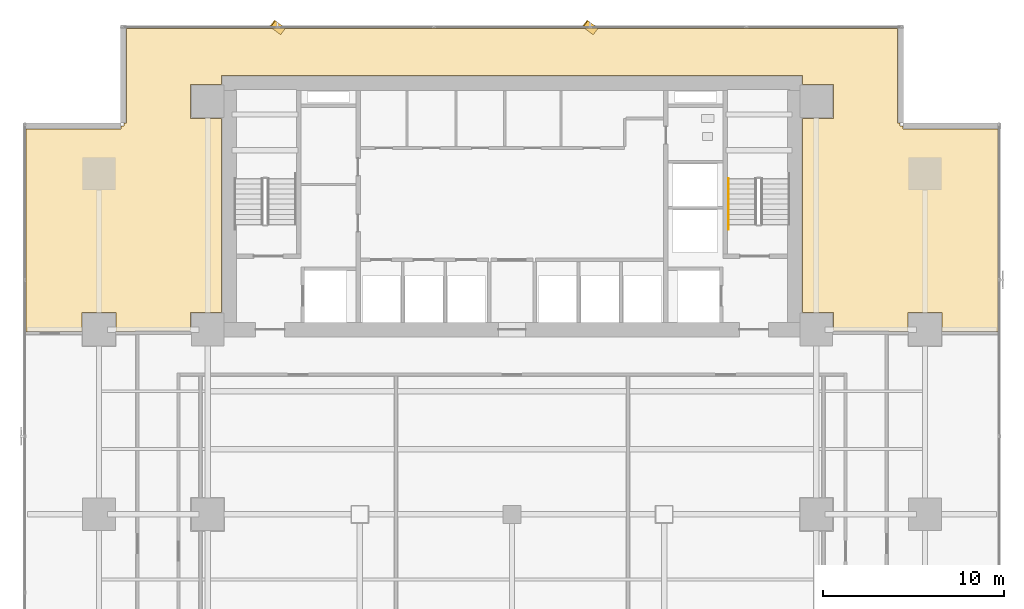
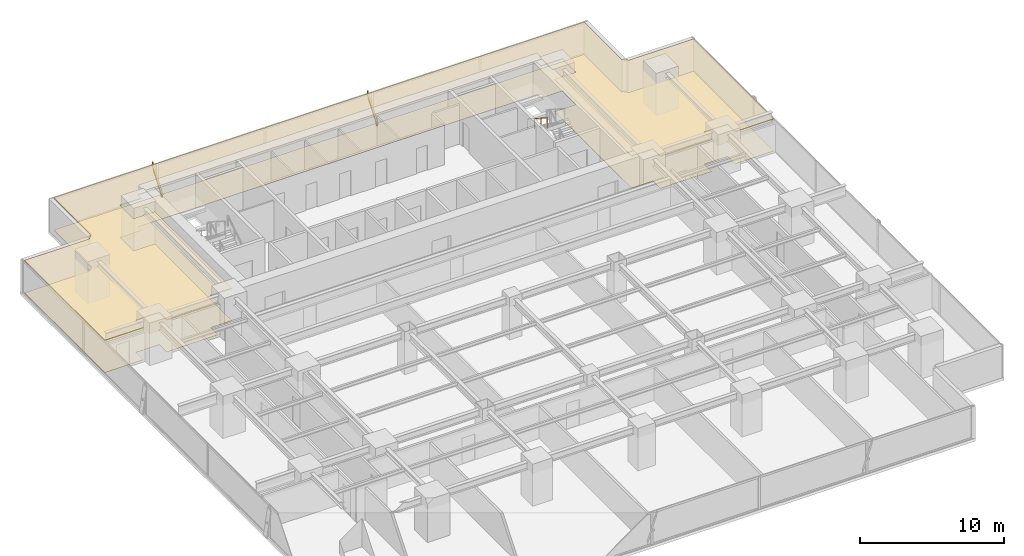
# One storey, part 32 of 34: 2 coverings, 2 shading devices, 1 railing.
"""IFC4 building model written with IfcOpenShell, lengths in metres."""

from ifc_helpers import new_model, si_unit, direction, frame, origin, origin_2d, place, context, subcontext, project, spatial, polyline, rectangle, outline, extrude, source, transform, mapped, material, layer, layer_set, material_profile, profile_set, type_object, element, save


model = new_model("IFC4")

# Units and contexts
model_context = context("Model", 3, precision=1e-05, world=origin(), true_north=direction((0.0, 1.0)))
body_context = subcontext(model_context, "Body", "Model", "MODEL_VIEW")
ifc_project = project(units=[si_unit("LENGTHUNIT", "METRE"), si_unit("AREAUNIT", "SQUARE_METRE"), si_unit("VOLUMEUNIT", "CUBIC_METRE"), si_unit("PLANEANGLEUNIT", "RADIAN"), si_unit("MASSUNIT", "GRAM", prefix="KILO")], contexts=[model_context])

# Site, building, storey
site_placement = place(None, origin())
site = spatial("IfcSite", under=ifc_project, at=site_placement, CompositionType="ELEMENT")
building_placement = place(site_placement, origin())
building = spatial("IfcBuilding", under=site, at=building_placement, Name="Sumidabori Civic Tower", CompositionType="ELEMENT")
storey_placement = place(building_placement, frame((0.0, 0.0, 56.0)))
storey = spatial("IfcBuildingStorey", under=building, at=storey_placement, Name="L14", CompositionType="ELEMENT", Elevation=56.0)

# Coverings
ifc_material_1 = material(Name="Gypsum Coffered Acoustic Ceiling")
ifc_layer_1 = layer(ifc_material_1, 0.06494140625, Name="Gypsum Coffered Acoustic Ceiling")
ifc_layer_set_1 = layer_set([ifc_layer_1], Name="Gypsum Coffered Acoustic Ceiling")
covering_type_1 = type_object("IfcCoveringType", Name="CV-CEIL-AC4", PredefinedType="CEILING", material=ifc_layer_set_1)
covering_1_placement = place(storey_placement, frame((0.0, 0.0, 2.7099609375)))
element("IfcCovering", 1, at=covering_1_placement, inside=storey, type_object=covering_type_1, Name="Room Acoustic Ceiling L14-01", PredefinedType="CEILING", context=body_context, shape_type="SweptSolid", body=[
    extrude(outline(polyline([(-26.830078125, 10.1025390625), (-26.830078125, 21.27197265625), (-21.592041015625, 21.27197265625), (-21.592041015625, 21.429931640625), (-21.429931640625, 21.429931640625), (-21.429931640625, 21.592041015625), (-21.27197265625, 21.592041015625), (-21.27197265625, 26.830078125), (21.27197265625, 26.830078125), (21.27197265625, 21.592041015625), (21.429931640625, 21.592041015625), (21.429931640625, 21.429931640625), (21.592041015625, 21.429931640625), (21.592041015625, 21.27197265625), (26.830078125, 21.27197265625), (26.830078125, 10.1025390625), (23.739990234375, 10.1025390625), (23.739990234375, 11.139892578125), (21.860107421875, 11.139892578125), (21.860107421875, 10.1025390625), (20.784912109375, 10.1025390625), (20.784912109375, 10.135009765625), (17.739990234375, 10.135009765625), (17.739990234375, 11.139892578125), (16.028076171875, 11.139892578125), (16.028076171875, 21.860107421875), (17.739990234375, 21.860107421875), (17.739990234375, 23.739990234375), (16.028076171875, 23.739990234375), (16.028076171875, 24.22802734375), (-16.028076171875, 24.22802734375), (-16.028076171875, 23.739990234375), (-17.739990234375, 23.739990234375), (-17.739990234375, 21.860107421875), (-16.028076171875, 21.860107421875), (-16.028076171875, 11.139892578125), (-17.739990234375, 11.139892578125), (-17.739990234375, 10.135009765625), (-20.784912109375, 10.135009765625), (-20.784912109375, 10.1025390625), (-21.860107421875, 10.1025390625), (-21.860107421875, 11.139892578125), (-23.739990234375, 11.139892578125), (-23.739990234375, 10.1025390625), (-26.830078125, 10.1025390625)])), origin(), (0.0, 0.0, 1.0), 0.06494140625),
])
ifc_material_2 = material(Name="Honed Terrazzo Tile Flooring")
ifc_layer_2 = layer(ifc_material_2, 0.030029296875, Name="Honed Terrazzo Tile Flooring")
ifc_layer_set_2 = layer_set([ifc_layer_2], Name="Honed Terrazzo Tile Flooring")
covering_type_2 = type_object("IfcCoveringType", Name="CV-FLR-TER", PredefinedType="FLOORING", material=ifc_layer_set_2)
covering_2_placement = place(storey_placement, origin())
element("IfcCovering", 2, at=covering_2_placement, inside=storey, type_object=covering_type_2, Name="Room Terrazzo Floor L14-01", PredefinedType="FLOORING", context=body_context, shape_type="SweptSolid", body=[
    extrude(outline(polyline([(-26.830078125, 10.1025390625), (-26.830078125, 21.27197265625), (-21.592041015625, 21.27197265625), (-21.592041015625, 21.429931640625), (-21.429931640625, 21.429931640625), (-21.429931640625, 21.592041015625), (-21.27197265625, 21.592041015625), (-21.27197265625, 26.830078125), (21.27197265625, 26.830078125), (21.27197265625, 21.592041015625), (21.429931640625, 21.592041015625), (21.429931640625, 21.429931640625), (21.592041015625, 21.429931640625), (21.592041015625, 21.27197265625), (26.830078125, 21.27197265625), (26.830078125, 10.1025390625), (23.739990234375, 10.1025390625), (23.739990234375, 11.139892578125), (21.860107421875, 11.139892578125), (21.860107421875, 10.1025390625), (20.784912109375, 10.1025390625), (20.784912109375, 10.135009765625), (17.739990234375, 10.135009765625), (17.739990234375, 11.139892578125), (16.028076171875, 11.139892578125), (16.028076171875, 21.860107421875), (17.739990234375, 21.860107421875), (17.739990234375, 23.739990234375), (16.028076171875, 23.739990234375), (16.028076171875, 24.22802734375), (-16.028076171875, 24.22802734375), (-16.028076171875, 23.739990234375), (-17.739990234375, 23.739990234375), (-17.739990234375, 21.860107421875), (-16.028076171875, 21.860107421875), (-16.028076171875, 11.139892578125), (-17.739990234375, 11.139892578125), (-17.739990234375, 10.135009765625), (-20.784912109375, 10.135009765625), (-20.784912109375, 10.1025390625), (-21.860107421875, 10.1025390625), (-21.860107421875, 11.139892578125), (-23.739990234375, 11.139892578125), (-23.739990234375, 10.1025390625), (-26.830078125, 10.1025390625)])), origin(), (0.0, 0.0, 1.0), 0.030029296875),
])

# Railing
ifc_material_3 = material(Name="Stainless Steel Hairline Finish", Category="steel")
railing_type = type_object("IfcRailingType", Name="RL-HANDRAIL", PredefinedType="HANDRAIL", material=ifc_material_3)
railing_placement = place(storey_placement, frame((11.949951171875, 18.52001953125, 1.97998046875)))
element("IfcRailing", 3, at=railing_placement, inside=storey, type_object=railing_type, Name="L14 ST-2 stair handrail 2", PredefinedType="HANDRAIL", context=body_context, shape_type="SweptSolid", body=[
    extrude(rectangle(XDim=0.048095703125, YDim=0.048095703125, at=origin_2d()), frame((0.0, 0.0, 0.8759765625), z_axis=(0.0, -0.840675598268, 0.541539046124), x_axis=(1.0, 0.0, 0.0)), (0.0, 0.0, 1.0), 3.330810546875),
    extrude(rectangle(XDim=0.0419921875, YDim=0.0419921875, at=origin_2d()), origin(), (0.0, 0.0, 1.0), 0.851806640625),
    extrude(rectangle(XDim=0.0419921875, YDim=0.0419921875, at=origin_2d()), frame((0.0, -0.933349609375, 0.601318359375)), (0.0, 0.0, 1.0), 0.851806640625),
    extrude(rectangle(XDim=0.0419921875, YDim=0.0419921875, at=origin_2d()), frame((0.0, -1.86669921875, 1.202392578125)), (0.0, 0.0, 1.0), 0.851806640625),
    extrude(rectangle(XDim=0.0419921875, YDim=0.0419921875, at=origin_2d()), frame((0.0, -2.800048828125, 1.8037109375)), (0.0, 0.0, 1.0), 0.851806640625),
])

# Shading devices
ifc_material_4 = material(Name="Anodised Bronze Aluminium AW-6063-T6", Category="aluminium")
ifc_material_profile = material_profile(ifc_material_4, rectangle(XDim=0.06005859375, YDim=0.449951171875, at=origin_2d()), Name="BRONZE FIN 450x60")
ifc_profile_set = profile_set([ifc_material_profile], Name="Anodised Bronze Aluminium AW-6063-T6")
shading_device_type = type_object("IfcShadingDeviceType", Name="SH-FIN-450", PredefinedType="USERDEFINED", material=ifc_profile_set)
shared_shape = source(origin(), body_context, "Body", "SweptSolid", [
    extrude(rectangle(XDim=0.06005859375, YDim=0.449951171875, at=origin_2d()), origin(), (0.0, 0.0, 1.0), 2.769775390625),
])
for number, where, z_axis, x_axis, name in (
    (4, (4.593994140625, 26.669921875, 0.02001953125), (-0.202195931323, 0.151691019096, 0.967526041035), (0.773939855131, -0.580623579198, 0.252771358975), "Bronze Anodised Diagonal Fin L14-02"),
    (5, (-12.662109375, 26.669921875, 0.02001953125), (-0.20211139135, 0.151693721986, 0.967543280787), (0.773832092044, -0.580795913828, 0.252705361643), "Bronze Anodised Diagonal Fin L14-04"),
):
    element("IfcShadingDevice", number, at=place(storey_placement, frame(where, z_axis=z_axis, x_axis=x_axis)), inside=storey, type_object=shading_device_type, Name=name, ObjectType="FIN", PredefinedType="USERDEFINED", context=body_context, shape_type="MappedRepresentation", body=[
        mapped(shared_shape, transform((0.0, 0.0, 0.0), x_axis=(1.0, 0.0, 0.0), y_axis=(0.0, 1.0, 0.0), z_axis=(0.0, 0.0, 1.0), scale=1.0)),
    ])

save(model, "model.ifc")
